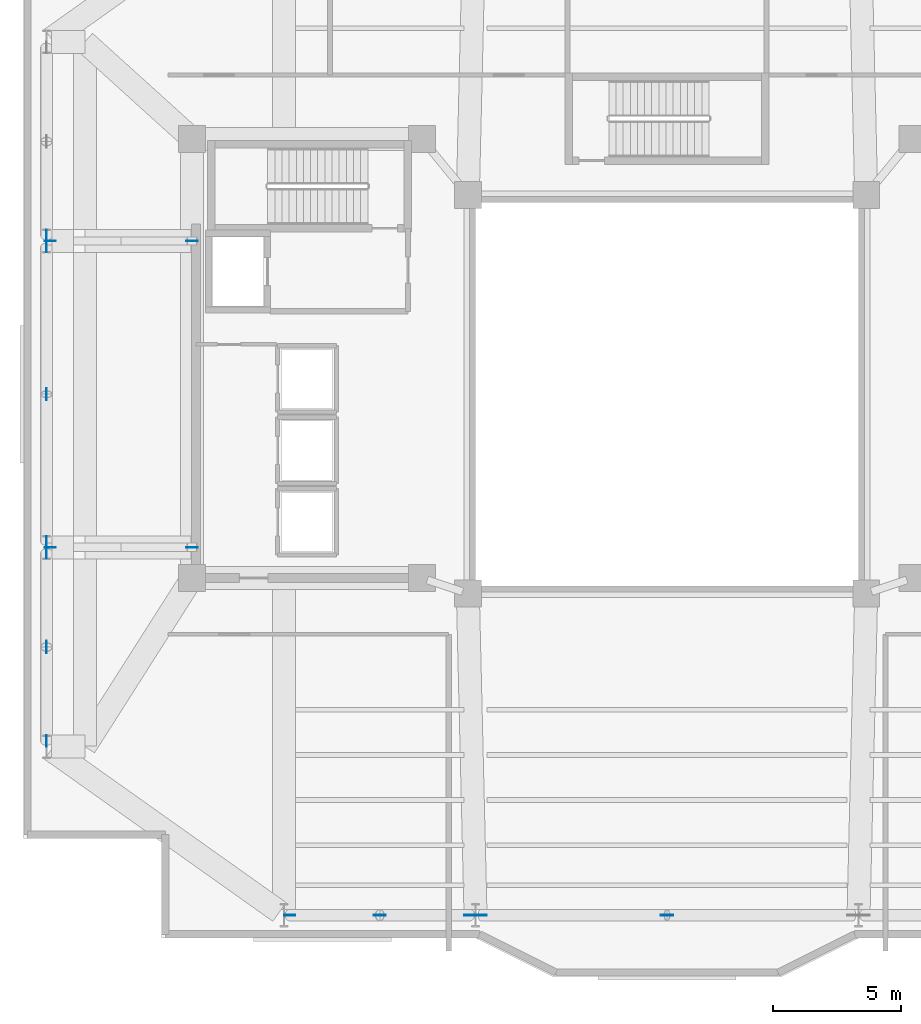
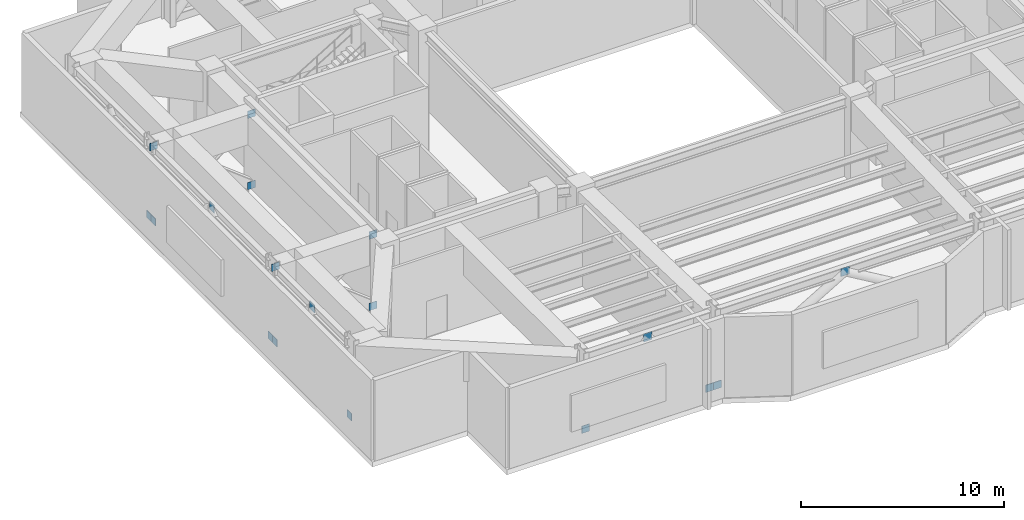
# One storey, part 4 of 13: 18 plates.
"""IFC4 building model written with IfcOpenShell, lengths in metres."""

from ifc_helpers import new_model, si_unit, direction, frame, origin, origin_2d, place, context, subcontext, project, spatial, rectangle, extrude, material, layer, layer_set, type_object, element, save


model = new_model("IFC4")

# Units and contexts
model_context = context("Model", 3, precision=1e-05, world=origin(), true_north=direction((0.0, 1.0)))
body_context = subcontext(model_context, "Body", "Model", "MODEL_VIEW")
ifc_project = project(units=[si_unit("LENGTHUNIT", "METRE"), si_unit("AREAUNIT", "SQUARE_METRE"), si_unit("VOLUMEUNIT", "CUBIC_METRE"), si_unit("PLANEANGLEUNIT", "RADIAN"), si_unit("MASSUNIT", "GRAM", prefix="KILO")], contexts=[model_context])

# Site, building, storey
site_placement = place(None, origin())
site = spatial("IfcSite", under=ifc_project, at=site_placement, CompositionType="ELEMENT")
building_placement = place(site_placement, origin())
building = spatial("IfcBuilding", under=site, at=building_placement, Name="Tarnavaz Court Tower", CompositionType="ELEMENT")
storey_placement = place(building_placement, frame((0.0, 0.0, 181.800048828125)))
storey = spatial("IfcBuildingStorey", under=building, at=storey_placement, Name="L49", CompositionType="ELEMENT", Elevation=181.800048828125)

# Plates
ifc_material = material(Name="Steel S355", Category="steel")
ifc_layer = layer(ifc_material, 0.030029296875)
ifc_layer_set = layer_set([ifc_layer], Name="Steel S355")
plate_type = type_object("IfcPlateType", Name="PL-GUSSET-30", PredefinedType="USERDEFINED", material=ifc_layer_set)
for number, where, z_axis, x_axis, name in (
    (1, (-11.25, -20.39990234375, 4.260009765625), (0.0, 0.0, 1.0), (1.0, 0.0, 0.0), "L49 Belt Truss Apex Gusset & End-Cap Plate 04"),
    (2, (0.0, -20.39990234375, 4.260009765625), (0.0, 0.0, 1.0), (1.0, 0.0, 0.0), "L49 Belt Truss Apex Gusset & End-Cap Plate 05"),
    (3, (-24.300048828125, -9.89990234375, 4.260009765625), (0.0, 0.0, 1.0), (0.0, 1.0, 0.0), "L49 Belt Truss Apex Gusset & End-Cap Plate 10"),
    (4, (-24.300048828125, 0.0, 4.260009765625), (0.0, 0.0, 1.0), (0.0, 1.0, 0.0), "L49 Belt Truss Apex Gusset & End-Cap Plate 11"),
):
    element("IfcPlate", number, at=place(storey_placement, frame(where, z_axis=z_axis, x_axis=x_axis)), inside=storey, type_object=plate_type, Name=name, ObjectType="GUSSET PLATE", PredefinedType="USERDEFINED", context=body_context, shape_type="SweptSolid", body=[
        extrude(rectangle(XDim=0.47998046875, YDim=0.030029296875, at=origin_2d()), origin(), (0.0, 0.0, 1.0), 0.47998046875),
    ])
for number, where, z_axis, x_axis, name in (
    (5, (-14.780029296875, -20.39990234375, -0.02001953125), (0.0, 0.0, 1.0), (1.0, 0.0, 0.0), "L49 Structural Brace & Strut End Gusset Plate 079"),
    (6, (-7.719970703125, -20.39990234375, -0.02001953125), (0.0, 0.0, 1.0), (1.0, 0.0, 0.0), "L49 Structural Brace & Strut End Gusset Plate 080"),
    (7, (-7.280029296875, -20.39990234375, -0.02001953125), (0.0, 0.0, 1.0), (1.0, 0.0, 0.0), "L49 Structural Brace & Strut End Gusset Plate 081"),
    (8, (-24.300048828125, -13.580078125, -0.02001953125), (0.0, 0.0, 1.0), (0.0, 1.0, 0.0), "L49 Structural Brace & Strut End Gusset Plate 091"),
    (9, (-24.300048828125, -6.219970703125, -0.02001953125), (0.0, 0.0, 1.0), (0.0, 1.0, 0.0), "L49 Structural Brace & Strut End Gusset Plate 092"),
    (10, (-24.300048828125, -5.780029296875, -0.02001953125), (0.0, 0.0, 1.0), (0.0, 1.0, 0.0), "L49 Structural Brace & Strut End Gusset Plate 093"),
    (11, (-24.300048828125, 5.780029296875, -0.02001953125), (0.0, 0.0, 1.0), (0.0, 1.0, 0.0), "L49 Structural Brace & Strut End Gusset Plate 094"),
    (12, (-24.300048828125, 6.219970703125, -0.02001953125), (0.0, 0.0, 1.0), (0.0, 1.0, 0.0), "L49 Structural Brace & Strut End Gusset Plate 095"),
    (13, (-18.60009765625, -6.0, -0.02001953125), (0.0, 0.0, 1.0), (1.0, 0.0, 0.0), "L49 Structural Brace & Strut End Gusset Plate 103"),
    (14, (-24.159912109375, -6.0, 4.280029296875), (0.0, 0.0, 1.0), (1.0, 0.0, 0.0), "L49 Structural Brace & Strut End Gusset Plate 104"),
    (15, (-18.60009765625, -6.0, 4.280029296875), (0.0, 0.0, 1.0), (1.0, 0.0, 0.0), "L49 Structural Brace & Strut End Gusset Plate 105"),
    (16, (-18.60009765625, 6.0, -0.02001953125), (0.0, 0.0, 1.0), (1.0, 0.0, 0.0), "L49 Structural Brace & Strut End Gusset Plate 106"),
    (17, (-24.159912109375, 6.0, 4.280029296875), (0.0, 0.0, 1.0), (1.0, 0.0, 0.0), "L49 Structural Brace & Strut End Gusset Plate 107"),
    (18, (-18.60009765625, 6.0, 4.280029296875), (0.0, 0.0, 1.0), (1.0, 0.0, 0.0), "L49 Structural Brace & Strut End Gusset Plate 108"),
):
    element("IfcPlate", number, at=place(storey_placement, frame(where, z_axis=z_axis, x_axis=x_axis)), inside=storey, type_object=plate_type, Name=name, ObjectType="GUSSET PLATE", PredefinedType="USERDEFINED", context=body_context, shape_type="SweptSolid", body=[
        extrude(rectangle(XDim=0.43994140625, YDim=0.030029296875, at=origin_2d()), origin(), (0.0, 0.0, 1.0), 0.43994140625),
    ])

save(model, "model.ifc")
